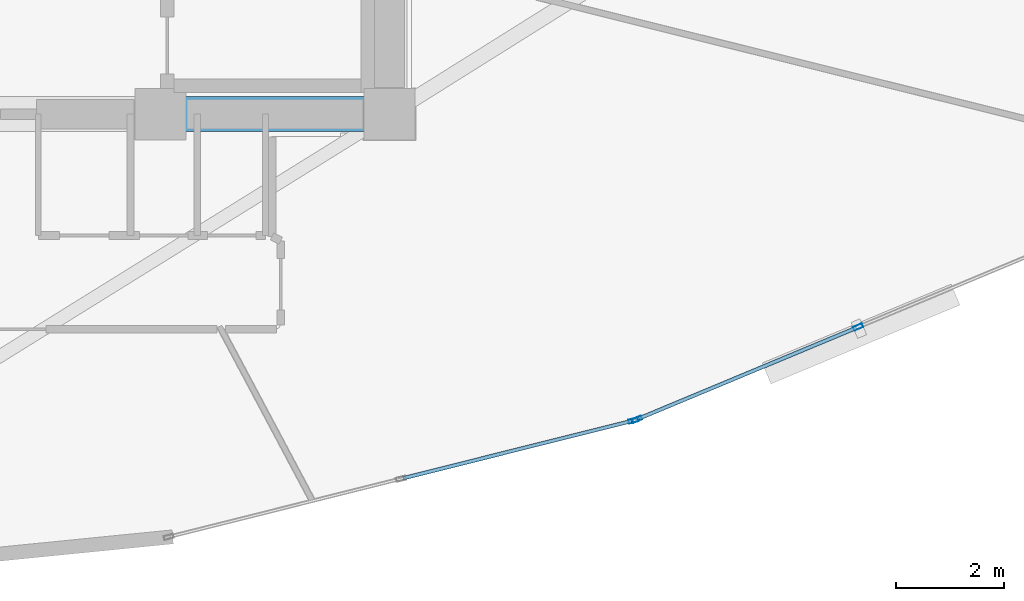
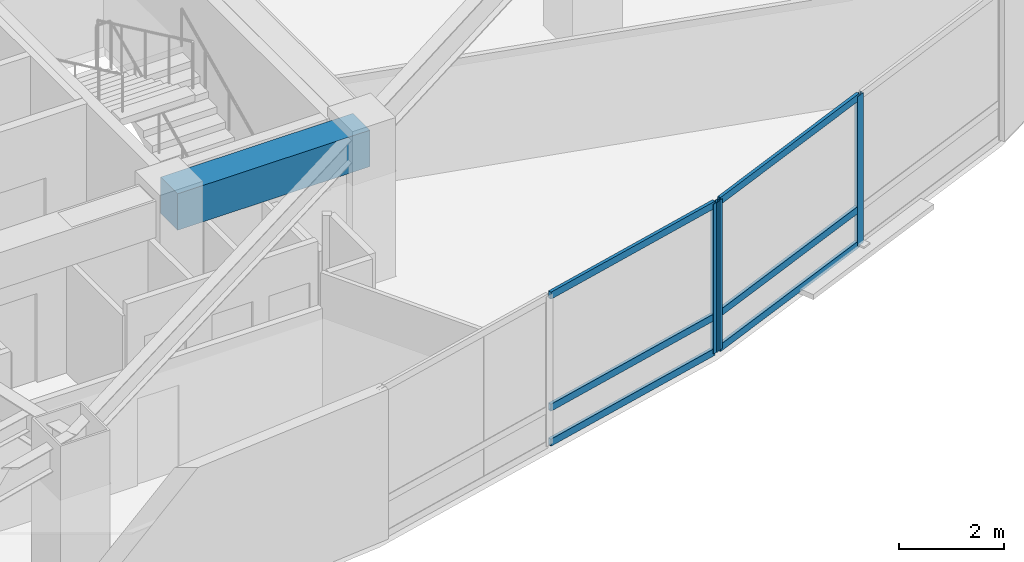
# One storey, part 5 of 18: 9 members, 1 beam, 2 elements without a shape of their own.
"""IFC4 building model written with IfcOpenShell, lengths in metres."""

from ifc_helpers import new_model, si_unit, direction, frame, origin, origin_2d, place, context, subcontext, project, spatial, rectangle, hollow_rectangle, extrude, material, layer, layer_set, material_profile, profile_set, type_object, element, aggregate, save


model = new_model("IFC4")

# Units and contexts
model_context = context("Model", 3, precision=1e-05, world=origin(), true_north=direction((0.0, 1.0)))
body_context = subcontext(model_context, "Body", "Model", "MODEL_VIEW")
ifc_project = project(units=[si_unit("LENGTHUNIT", "METRE"), si_unit("AREAUNIT", "SQUARE_METRE"), si_unit("VOLUMEUNIT", "CUBIC_METRE"), si_unit("PLANEANGLEUNIT", "RADIAN"), si_unit("MASSUNIT", "GRAM", prefix="KILO")], contexts=[model_context])

# Site, building, storey
site_placement = place(None, origin())
site = spatial("IfcSite", under=ifc_project, at=site_placement, CompositionType="ELEMENT")
building_placement = place(site_placement, origin())
building = spatial("IfcBuilding", under=site, at=building_placement, Name="Menara Vayukalpa", CompositionType="ELEMENT")
storey_placement = place(building_placement, frame((0.0, 0.0, 165.47998046875)))
storey = spatial("IfcBuildingStorey", under=building, at=storey_placement, Name="L41", CompositionType="ELEMENT", Elevation=165.47998046875)

# Beam
ifc_material_1 = material(Name="Concrete C60/75", Category="concrete")
ifc_material_profile_1 = material_profile(ifc_material_1, rectangle(XDim=0.64990234375, YDim=0.85009765625, at=origin_2d()), Name="RC 650x850")
ifc_profile_set_1 = profile_set([ifc_material_profile_1], Name="Concrete C60/75")
beam_type = type_object("IfcBeamType", Name="BM-CB1", PredefinedType="BEAM", material=ifc_profile_set_1)
beam_placement = place(storey_placement, frame((29.14990234375, 17.199951171875, 3.074951171875), z_axis=(1.0, 0.0, 0.0), x_axis=(0.0, 1.0, 0.0)))
element("IfcBeam", 1, at=beam_placement, inside=storey, type_object=beam_type, Name="L41 Core Tie Beam CBR3", PredefinedType="BEAM", context=body_context, shape_type="SweptSolid", body=[
    extrude(rectangle(XDim=0.64990234375, YDim=0.85009765625, at=origin_2d()), origin(), (0.0, 0.0, 1.0), 4.25),
])

# Curtain wall, member
ifc_material_2 = material(Name="Anodised Terracotta Aluminium Alloy 6063-T6", Category="masonry")
ifc_layer = layer(ifc_material_2, 0.179931640625)
ifc_layer_set = layer_set([ifc_layer], Name="Anodised Terracotta Aluminium Alloy 6063-T6")
curtain_wall_type = type_object("IfcCurtainWallType", Name="CW-CW4", PredefinedType="USERDEFINED", material=ifc_layer_set)
curtain_wall_1_placement = place(storey_placement, origin())
curtain_wall_1 = element("IfcCurtainWall", 2, at=curtain_wall_1_placement, inside=storey, type_object=curtain_wall_type, Name="L41 Sky Bar Cantilever Glazed Curtain Wall CW4 16", ObjectType="UNITISED", PredefinedType="USERDEFINED")
ifc_material_3 = material(Name="Anodised Terracotta Aluminium Alloy 6063-T6", Category="masonry")
ifc_material_profile_2 = material_profile(ifc_material_3, hollow_rectangle(XDim=0.074951171875, YDim=0.179931640625, WallThickness=0.00390625, at=origin_2d()), Name="ALU 75x180x4")
ifc_profile_set_2 = profile_set([ifc_material_profile_2], Name="Anodised Terracotta Aluminium Alloy 6063-T6")
member_type_1 = type_object("IfcMemberType", Name="CWM-CW4", PredefinedType="MULLION", material=ifc_profile_set_2)
member_1_placement = place(storey_placement, frame((37.92529296875, 11.51318359375, 0.0), z_axis=(0.0, 0.0, 1.0), x_axis=(-0.243112993066, 0.969997975566, 0.0)))
member_1 = element("IfcMember", 3, at=member_1_placement, type_object=member_type_1, Name="CW4 mullion 3", PredefinedType="MULLION", context=body_context, shape_type="SweptSolid", body=[
    extrude(hollow_rectangle(XDim=0.074951171875, YDim=0.179931640625, WallThickness=0.00390625, at=origin_2d()), origin(), (0.0, 0.0, 1.0), 3.5),
])

# Curtain wall, members
curtain_wall_2_placement = place(storey_placement, origin())
curtain_wall_2 = element("IfcCurtainWall", 4, at=curtain_wall_2_placement, inside=storey, type_object=curtain_wall_type, Name="L41 Sky Bar Cantilever Glazed Curtain Wall CW4 17", ObjectType="UNITISED", PredefinedType="USERDEFINED")
member_2_placement = place(storey_placement, frame((37.996337890625, 11.536865234375, 0.0), z_axis=(0.0, 0.0, 1.0), x_axis=(-0.385091352437, 0.922878459104, 0.0)))
member_2 = element("IfcMember", 5, at=member_2_placement, type_object=member_type_1, Name="CW4 mullion 1", PredefinedType="MULLION", context=body_context, shape_type="SweptSolid", body=[
    extrude(hollow_rectangle(XDim=0.074951171875, YDim=0.179931640625, WallThickness=0.00390625, at=origin_2d()), origin(), (0.0, 0.0, 1.0), 3.5),
])
member_3_placement = place(storey_placement, frame((42.098388671875, 13.24853515625, 0.0), z_axis=(0.0, 0.0, 1.0), x_axis=(-0.385091352437, 0.922878459104, 0.0)))
member_3 = element("IfcMember", 6, at=member_3_placement, type_object=member_type_1, Name="CW4 mullion 2", PredefinedType="MULLION", context=body_context, shape_type="SweptSolid", body=[
    extrude(hollow_rectangle(XDim=0.074951171875, YDim=0.179931640625, WallThickness=0.00390625, at=origin_2d()), origin(), (0.0, 0.0, 1.0), 3.5),
])

# Member
ifc_material_4 = material(Name="Anodised Terracotta Aluminium Alloy 6063-T6", Category="masonry")
ifc_material_profile_3 = material_profile(ifc_material_4, hollow_rectangle(XDim=0.070068359375, YDim=0.1650390625, WallThickness=0.00390625, at=origin_2d()), Name="ALU 70x165x4")
ifc_profile_set_3 = profile_set([ifc_material_profile_3], Name="Anodised Terracotta Aluminium Alloy 6063-T6")
member_type_2 = type_object("IfcMemberType", Name="CWT-CW4", PredefinedType="USERDEFINED", material=ifc_profile_set_3)
member_4_placement = place(storey_placement, frame((33.650146484375, 10.441650390625, 0.034912109375), z_axis=(0.969991137753, 0.243140273672, 0.0), x_axis=(-0.243140273672, 0.969991137753, 0.0)))
member_4 = element("IfcMember", 7, at=member_4_placement, type_object=member_type_2, Name="CW4 transom 2.1", ObjectType="TRANSOM", PredefinedType="USERDEFINED", context=body_context, shape_type="SweptSolid", body=[
    extrude(hollow_rectangle(XDim=0.070068359375, YDim=0.1650390625, WallThickness=0.00390625, at=origin_2d()), origin(), (0.0, 0.0, 1.0), 4.369873046875),
])

member_5_placement = place(storey_placement, frame((33.650146484375, 10.441650390625, 0.85009765625), z_axis=(0.969991137753, 0.243140273672, 0.0), x_axis=(-0.243140273672, 0.969991137753, 0.0)))
member_5 = element("IfcMember", 8, at=member_5_placement, type_object=member_type_2, Name="CW4 transom 2.2", ObjectType="TRANSOM", PredefinedType="USERDEFINED", context=body_context, shape_type="SweptSolid", body=[
    extrude(hollow_rectangle(XDim=0.070068359375, YDim=0.1650390625, WallThickness=0.00390625, at=origin_2d()), origin(), (0.0, 0.0, 1.0), 4.369873046875),
])

member_6_placement = place(storey_placement, frame((33.650146484375, 10.441650390625, 3.465087890625), z_axis=(0.969991137753, 0.243140273672, 0.0), x_axis=(-0.243140273672, 0.969991137753, 0.0)))
member_6 = element("IfcMember", 9, at=member_6_placement, type_object=member_type_2, Name="CW4 transom 2.3", ObjectType="TRANSOM", PredefinedType="USERDEFINED", context=body_context, shape_type="SweptSolid", body=[
    extrude(hollow_rectangle(XDim=0.070068359375, YDim=0.1650390625, WallThickness=0.00390625, at=origin_2d()), origin(), (0.0, 0.0, 1.0), 4.369873046875),
])

aggregate(curtain_wall_1, [member_1, member_4, member_5, member_6])

member_7_placement = place(storey_placement, frame((38.031005859375, 11.55126953125, 0.034912109375), z_axis=(0.922868513183, 0.385115187152, 0.0), x_axis=(-0.385115187152, 0.922868513183, 0.0)))
member_7 = element("IfcMember", 10, at=member_7_placement, type_object=member_type_2, Name="CW4 transom 1.1", ObjectType="TRANSOM", PredefinedType="USERDEFINED", context=body_context, shape_type="SweptSolid", body=[
    extrude(hollow_rectangle(XDim=0.070068359375, YDim=0.1650390625, WallThickness=0.00390625, at=origin_2d()), origin(), (0.0, 0.0, 1.0), 4.369873046875),
])

member_8_placement = place(storey_placement, frame((38.031005859375, 11.55126953125, 0.85009765625), z_axis=(0.922868513183, 0.385115187152, 0.0), x_axis=(-0.385115187152, 0.922868513183, 0.0)))
member_8 = element("IfcMember", 11, at=member_8_placement, type_object=member_type_2, Name="CW4 transom 1.2", ObjectType="TRANSOM", PredefinedType="USERDEFINED", context=body_context, shape_type="SweptSolid", body=[
    extrude(hollow_rectangle(XDim=0.070068359375, YDim=0.1650390625, WallThickness=0.00390625, at=origin_2d()), origin(), (0.0, 0.0, 1.0), 4.369873046875),
])

member_9_placement = place(storey_placement, frame((38.031005859375, 11.55126953125, 3.465087890625), z_axis=(0.922868513183, 0.385115187152, 0.0), x_axis=(-0.385115187152, 0.922868513183, 0.0)))
member_9 = element("IfcMember", 12, at=member_9_placement, type_object=member_type_2, Name="CW4 transom 1.3", ObjectType="TRANSOM", PredefinedType="USERDEFINED", context=body_context, shape_type="SweptSolid", body=[
    extrude(hollow_rectangle(XDim=0.070068359375, YDim=0.1650390625, WallThickness=0.00390625, at=origin_2d()), origin(), (0.0, 0.0, 1.0), 4.369873046875),
])

aggregate(curtain_wall_2, [member_2, member_3, member_7, member_8, member_9])

save(model, "model.ifc")
